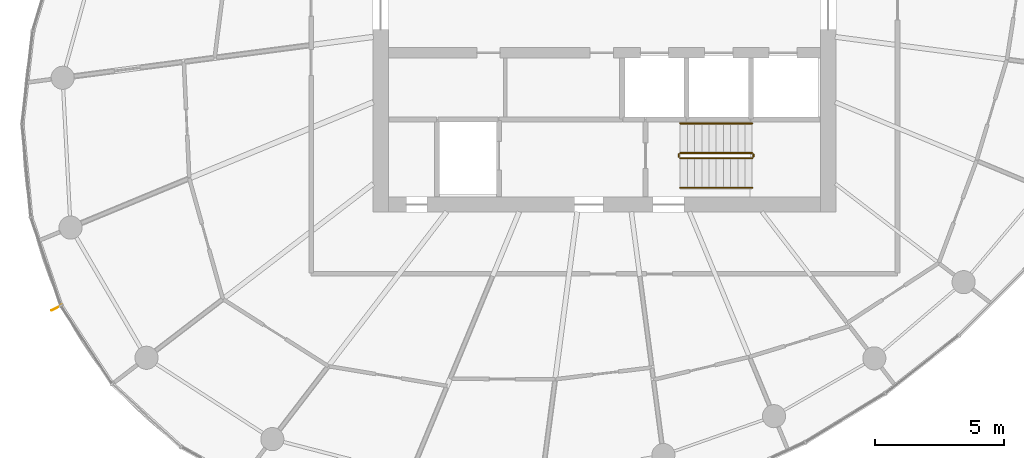
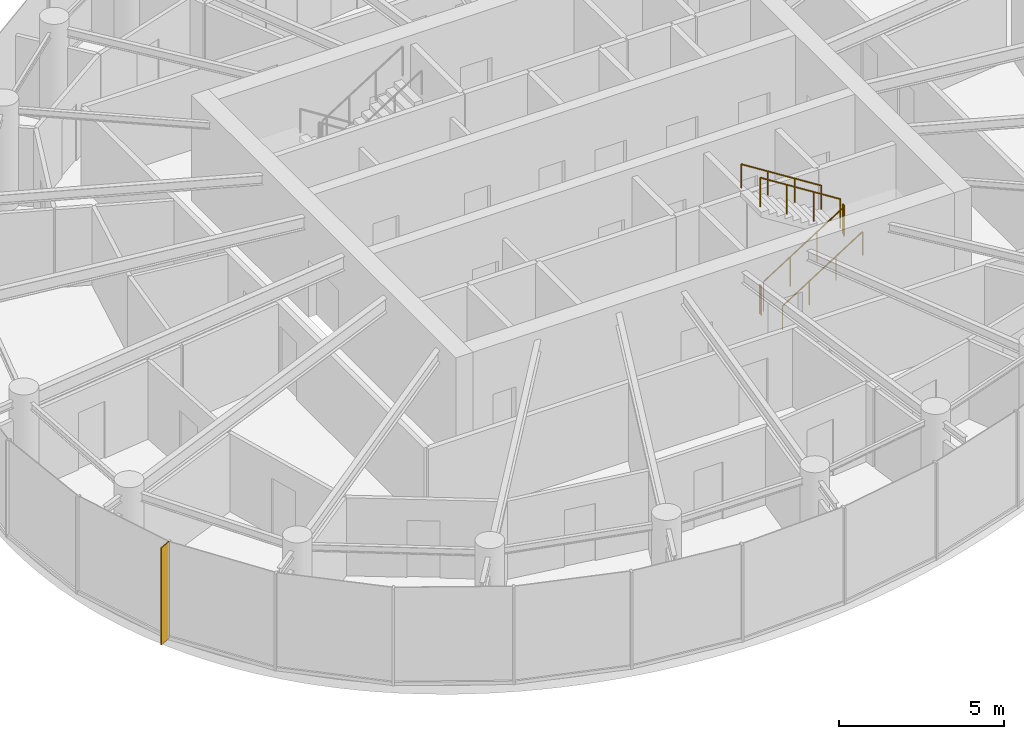
# One storey, part 14 of 15: 6 railings, 1 shading device.
"""IFC4 building model written with IfcOpenShell, lengths in metres."""

import ifcopenshell
import ifcopenshell.guid

model = None  # the IFC model being written
_history = None  # IfcOwnerHistory: only IFC2X3 demands one
_inside = {}  # id of a spatial element -> (the spatial element, [elements in it])
_under = {}  # id of a project, library or spatial element -> (it, [spatial elements below it])
_declared = {}  # id of a project -> (the project, [libraries it declares])
_typed = {}  # id of a type object -> (the type object, [elements of that type])
_made_of = {}  # id of a material, layer set ... -> (it, [elements and type objects made of it])


def new_model(schema):
    """Start an empty IFC model of exactly this schema.

    Asked for "IFC4X3", IfcOpenShell would pick the latest addendum, in which some entities
    have other attributes; the version numbers below select the first issue.
    IFC2X3 requires an IfcOwnerHistory on every rooted entity: one is made here for all.
    """
    global model, _history
    if schema == "IFC4X3":
        model = ifcopenshell.file(schema_version=(4, 3, 0, 0))
    else:
        model = ifcopenshell.file(schema=schema)
    _inside.clear()
    _under.clear()
    _declared.clear()
    _typed.clear()
    _made_of.clear()
    _history = None
    if model.schema == "IFC2X3":
        org = make("IfcOrganization", Name="unknown")
        user = make(
            "IfcPersonAndOrganization",
            ThePerson=make("IfcPerson", FamilyName="unknown"),
            TheOrganization=org,
        )
        app = make(
            "IfcApplication",
            ApplicationDeveloper=org,
            Version="unknown",
            ApplicationFullName="unknown",
            ApplicationIdentifier="unknown",
        )
        _history = make(
            "IfcOwnerHistory",
            OwningUser=user,
            OwningApplication=app,
            ChangeAction="ADDED",
            CreationDate=0,
        )
    return model


def make(cls, **values):
    """One entity of the class cls with the attributes given. An attribute that is None is left unset."""
    return model.create_entity(
        cls, **{name: value for name, value in values.items() if value is not None}
    )


def rooted(cls, **values):
    """An entity with a GlobalId (a new one), such as an element, a storey or a relation."""
    return make(cls, GlobalId=ifcopenshell.guid.new(), OwnerHistory=_history, **values)


def si_unit(unit_type, name, prefix=None):
    """IfcSIUnit, for example si_unit("LENGTHUNIT", "METRE", prefix="MILLI")."""
    return make("IfcSIUnit", UnitType=unit_type, Prefix=prefix, Name=name)


def assignment(units):
    """IfcUnitAssignment: the units of a project."""
    return None if units is None else make("IfcUnitAssignment", Units=units)


def point(xyz):
    """IfcCartesianPoint."""
    return None if xyz is None else make("IfcCartesianPoint", Coordinates=xyz)


def direction(xyz):
    """IfcDirection."""
    return None if xyz is None else make("IfcDirection", DirectionRatios=xyz)


def frame(location, z_axis=None, x_axis=None):
    """IfcAxis2Placement3D, a coordinate frame: its origin and axes. An axis left out is left unset."""
    return make(
        "IfcAxis2Placement3D",
        Location=point(location),
        Axis=direction(z_axis),
        RefDirection=direction(x_axis),
    )


def frame_2d(location, x_axis=None):
    """IfcAxis2Placement2D, a coordinate frame in the plane: its origin and x axis."""
    return make(
        "IfcAxis2Placement2D", Location=point(location), RefDirection=direction(x_axis)
    )


def origin():
    """The frame at (0, 0, 0) with its axes left unset."""
    return frame((0.0, 0.0, 0.0))


def origin_2d():
    """The frame at (0, 0) in the plane with its x axis left unset."""
    return frame_2d((0.0, 0.0))


def place(relative_to, where):
    """IfcLocalPlacement: puts the frame where relative to a parent placement (None: the world)."""
    return make(
        "IfcLocalPlacement", PlacementRelTo=relative_to, RelativePlacement=where
    )


def context(
    kind, dimensions, precision=None, world=None, true_north=None, identifier=None
):
    """IfcGeometricRepresentationContext, for example the 3D "Model" context."""
    return make(
        "IfcGeometricRepresentationContext",
        ContextIdentifier=identifier,
        ContextType=kind,
        CoordinateSpaceDimension=dimensions,
        Precision=precision,
        WorldCoordinateSystem=world,
        TrueNorth=true_north,
    )


def subcontext(parent, identifier, kind, view, scale=None):
    """IfcGeometricRepresentationSubContext, for example "Body" below "Model"."""
    return make(
        "IfcGeometricRepresentationSubContext",
        ContextIdentifier=identifier,
        ContextType=kind,
        ParentContext=parent,
        TargetScale=scale,
        TargetView=view,
    )


def project(units=None, contexts=None):
    """IfcProject with its units and contexts."""
    return rooted(
        "IfcProject",
        Name="project",
        RepresentationContexts=contexts,
        UnitsInContext=assignment(units),
    )


def spatial(cls, under=None, at=None, **own):
    """A site, building, storey or space (cls), placed at a placement, below another one or the project."""
    s = rooted(cls, ObjectPlacement=at, **own)
    if under is not None:
        _under.setdefault(under.id(), (under, []))[1].append(s)
    return s


def profile(cls, at=None, kind="AREA", **sizes):
    """A parametric profile (cls). Its sizes go by their IFC names, for example OverallWidth=200.0."""
    return make(cls, ProfileType=kind, Position=at, **sizes)


def rectangle(**sizes):
    """IfcRectangleProfileDef."""
    return profile("IfcRectangleProfileDef", **sizes)


def circle(**sizes):
    """IfcCircleProfileDef."""
    return profile("IfcCircleProfileDef", **sizes)


def extrude(swept, where, along, depth):
    """IfcExtrudedAreaSolid: the profile swept, set in the frame where, extruded along a direction by depth."""
    return make(
        "IfcExtrudedAreaSolid",
        SweptArea=swept,
        Position=where,
        ExtrudedDirection=direction(along),
        Depth=depth,
    )


def shape(context_of_items, identifier, shape_type, items):
    """IfcShapeRepresentation: the items that make up one representation, for example the "Body"."""
    return make(
        "IfcShapeRepresentation",
        ContextOfItems=context_of_items,
        RepresentationIdentifier=identifier,
        RepresentationType=shape_type,
        Items=items,
    )


def source(mapping_origin, context_of_items, identifier, shape_type, items):
    """IfcRepresentationMap: a shape defined once, which mapped items show again and again."""
    return make(
        "IfcRepresentationMap",
        MappingOrigin=mapping_origin,
        MappedRepresentation=shape(context_of_items, identifier, shape_type, items),
    )


def transform(
    local_origin,
    x_axis=None,
    y_axis=None,
    z_axis=None,
    scale=None,
    scale2=None,
    scale3=None,
    uniform=True,
):
    """IfcCartesianTransformationOperator3D, or its non-uniform kind. x_axis, y_axis, z_axis: its Axis1, 2, 3."""
    if uniform:
        return make(
            "IfcCartesianTransformationOperator3D",
            Axis1=direction(x_axis),
            Axis2=direction(y_axis),
            LocalOrigin=point(local_origin),
            Scale=scale,
            Axis3=direction(z_axis),
        )
    return make(
        "IfcCartesianTransformationOperator3DnonUniform",
        Axis1=direction(x_axis),
        Axis2=direction(y_axis),
        LocalOrigin=point(local_origin),
        Scale=scale,
        Axis3=direction(z_axis),
        Scale2=scale2,
        Scale3=scale3,
    )


def mapped(mapping_source, mapping_target):
    """IfcMappedItem: shows the shape of a source again, moved by a transform."""
    return make(
        "IfcMappedItem", MappingSource=mapping_source, MappingTarget=mapping_target
    )


def material(Name=None, Category=None):
    """IfcMaterial."""
    return make("IfcMaterial", Name=Name, Category=Category)


def material_profile(
    of_material, cross_section, Name=None, Category=None, Priority=None
):
    """IfcMaterialProfile: a cross section and its material."""
    return make(
        "IfcMaterialProfile",
        Name=Name,
        Material=of_material,
        Profile=cross_section,
        Priority=Priority,
        Category=Category,
    )


def profile_set(profiles, Name=None, composite=None):
    """IfcMaterialProfileSet."""
    return make(
        "IfcMaterialProfileSet",
        Name=Name,
        MaterialProfiles=profiles,
        CompositeProfile=composite,
    )


def made_of(thing, what):
    """Note that an element or type object is made of a material, layer set ...; save() writes the relation."""
    if what is not None:
        _made_of.setdefault(what.id(), (what, []))[1].append(thing)
    return thing


def type_object(cls, material=None, **own):
    """A type object (cls), such as IfcWallType, which elements share."""
    return made_of(rooted(cls, **own), material)


def element(
    cls,
    number,
    at=None,
    inside=None,
    cuts=None,
    type_object=None,
    material=None,
    context=None,
    identifier="Body",
    shape_type=None,
    held_by="IfcProductDefinitionShape",
    body=None,
    shapes=None,
    **own,
):
    """One element of the class cls, such as IfcWall. Its Tag is "e" and its number.

    at: its placement. inside: the storey or other place that contains it. cuts: it is an
    opening in that element (IfcRelVoidsElement). A single representation is given by context,
    identifier, shape_type and body (its items); several are given by shapes. held_by: the class
    of the entity that holds the representations. save() writes the other relations.
    """
    e = rooted(cls, Tag="e%d" % number, ObjectPlacement=at, **own)
    if body is not None:
        shapes = [shape(context, identifier, shape_type, body)]
    if shapes is not None:
        e.Representation = make(held_by, Representations=shapes)
    if inside is not None:
        _inside.setdefault(inside.id(), (inside, []))[1].append(e)
    if cuts is not None:
        rooted(
            "IfcRelVoidsElement", RelatingBuildingElement=cuts, RelatedOpeningElement=e
        )
    if type_object is not None:
        _typed.setdefault(type_object.id(), (type_object, []))[1].append(e)
    return made_of(e, material)


def aggregate(whole, parts):
    """IfcRelAggregates: a whole, such as a stair, and the parts it consists of."""
    return rooted("IfcRelAggregates", RelatingObject=whole, RelatedObjects=parts)


def save(model, path):
    """Write the relations noted so far, then the file.

    IfcRelAggregates (storeys below a building ...), IfcRelContainedInSpatialStructure (elements
    in a storey), IfcRelDefinesByType, IfcRelAssociatesMaterial and IfcRelDeclares: one each for
    every whole, place, type object, material and project.
    """
    for whole, parts in _under.values():
        aggregate(whole, parts)
    for where, things in _inside.values():
        rooted(
            "IfcRelContainedInSpatialStructure",
            RelatedElements=things,
            RelatingStructure=where,
        )
    for kind, things in _typed.values():
        rooted("IfcRelDefinesByType", RelatedObjects=things, RelatingType=kind)
    for what, things in _made_of.values():
        rooted("IfcRelAssociatesMaterial", RelatedObjects=things, RelatingMaterial=what)
    for by, libraries in _declared.values():
        rooted("IfcRelDeclares", RelatingContext=by, RelatedDefinitions=libraries)
    model.write(path)


model = new_model("IFC4")

# Units and contexts
model_context = context("Model", 3, precision=1e-05, world=origin(), true_north=direction((0.0, 1.0)))
body_context = subcontext(model_context, "Body", "Model", "MODEL_VIEW")
ifc_project = project(units=[si_unit("LENGTHUNIT", "METRE"), si_unit("AREAUNIT", "SQUARE_METRE"), si_unit("VOLUMEUNIT", "CUBIC_METRE"), si_unit("PLANEANGLEUNIT", "RADIAN"), si_unit("MASSUNIT", "GRAM", prefix="KILO")], contexts=[model_context])

# Site, building, storey
site_placement = place(None, origin())
site = spatial("IfcSite", under=ifc_project, at=site_placement, CompositionType="ELEMENT")
building_placement = place(site_placement, origin())
building = spatial("IfcBuilding", under=site, at=building_placement, Name="Spindrift Exchange Tower", CompositionType="ELEMENT")
storey_placement = place(building_placement, frame((0.0, 0.0, 191.60009765625)))
storey = spatial("IfcBuildingStorey", under=building, at=storey_placement, Name="L46", CompositionType="ELEMENT", Elevation=191.60009765625)

# Railings
ifc_material_1 = material(Name="Steel balustrade", Category="steel")
railing_type_1 = type_object("IfcRailingType", Name="RL-STAIR-GUARD", PredefinedType="GUARDRAIL", material=ifc_material_1)
railing_1_placement = place(storey_placement, frame((54.949951171875, 42.10009765625, 0.17724609375)))
element("IfcRailing", 1, at=railing_1_placement, inside=storey, type_object=railing_type_1, Name="L46 ST2 stair guard 1", PredefinedType="GUARDRAIL", context=body_context, shape_type="SweptSolid", body=[
    extrude(circle(Radius=0.02392578125, at=origin_2d()), frame((0.0, 0.0, 1.076171875), z_axis=(0.844908973607, 0.0, 0.534910110503), x_axis=(0.0, 1.0, 0.0)), (0.0, 0.0, 1.0), 3.31396484375),
    extrude(circle(Radius=0.02099609375, at=origin_2d()), origin(), (0.0, 0.0, 1.0), 1.052001953125),
    extrude(circle(Radius=0.02099609375, at=origin_2d()), frame((0.933349609375, 0.0, 0.5908203125)), (0.0, 0.0, 1.0), 1.052001953125),
    extrude(circle(Radius=0.02099609375, at=origin_2d()), frame((1.86669921875, 0.0, 1.181884765625)), (0.0, 0.0, 1.0), 1.052001953125),
    extrude(circle(Radius=0.02099609375, at=origin_2d()), frame((2.800048828125, 0.0, 1.772705078125)), (0.0, 0.0, 1.0), 1.052001953125),
])
railing_2_placement = place(storey_placement, frame((57.800048828125, 42.14990234375, 1.949951171875)))
element("IfcRailing", 2, at=railing_2_placement, inside=storey, type_object=railing_type_1, Name="L46 ST2 stair guard 2", PredefinedType="GUARDRAIL", context=body_context, shape_type="SweptSolid", body=[
    extrude(circle(Radius=0.02392578125, at=origin_2d()), frame((0.0, 0.0, 1.076171875), z_axis=(0.0, 1.0, 0.0), x_axis=(-1.0, 0.0, 0.0)), (0.0, 0.0, 1.0), 0.10009765625),
    extrude(circle(Radius=0.02099609375, at=origin_2d()), origin(), (0.0, 0.0, 1.0), 1.052001953125),
    extrude(circle(Radius=0.02099609375, at=origin_2d()), frame((0.0, 0.10009765625, 0.0)), (0.0, 0.0, 1.0), 1.052001953125),
])
railing_3_placement = place(storey_placement, frame((57.75, 42.300048828125, 2.127197265625)))
element("IfcRailing", 3, at=railing_3_placement, inside=storey, type_object=railing_type_1, Name="L46 ST2 stair guard 3", PredefinedType="GUARDRAIL", context=body_context, shape_type="SweptSolid", body=[
    extrude(circle(Radius=0.02392578125, at=origin_2d()), frame((0.0, 0.0, 1.076171875), z_axis=(-0.844908973607, 0.0, 0.534910110503), x_axis=(0.0, -1.0, 0.0)), (0.0, 0.0, 1.0), 3.31396484375),
    extrude(circle(Radius=0.02099609375, at=origin_2d()), origin(), (0.0, 0.0, 1.0), 1.052001953125),
    extrude(circle(Radius=0.02099609375, at=origin_2d()), frame((-0.933349609375, 0.0, 0.5908203125)), (0.0, 0.0, 1.0), 1.052001953125),
    extrude(circle(Radius=0.02099609375, at=origin_2d()), frame((-1.86669921875, 0.0, 1.181884765625)), (0.0, 0.0, 1.0), 1.052001953125),
    extrude(circle(Radius=0.02099609375, at=origin_2d()), frame((-2.800048828125, 0.0, 1.772705078125)), (0.0, 0.0, 1.0), 1.052001953125),
])
railing_4_placement = place(storey_placement, frame((54.89990234375, 42.14990234375, 0.0)))
element("IfcRailing", 4, at=railing_4_placement, inside=storey, type_object=railing_type_1, Name="L46 ST2 stair guard 4", PredefinedType="GUARDRAIL", context=body_context, shape_type="SweptSolid", body=[
    extrude(circle(Radius=0.02392578125, at=origin_2d()), frame((0.0, 0.0, 1.076171875), z_axis=(0.0, 1.0, 0.0), x_axis=(-1.0, 0.0, 0.0)), (0.0, 0.0, 1.0), 0.10009765625),
    extrude(circle(Radius=0.02099609375, at=origin_2d()), origin(), (0.0, 0.0, 1.0), 1.052001953125),
    extrude(circle(Radius=0.02099609375, at=origin_2d()), frame((0.0, 0.10009765625, 0.0)), (0.0, 0.0, 1.0), 1.052001953125),
])
ifc_material_2 = material(Name="Steel tubular handrail", Category="steel")
railing_type_2 = type_object("IfcRailingType", Name="RL-STAIR-HAND", PredefinedType="HANDRAIL", material=ifc_material_2)
railing_5_placement = place(storey_placement, frame((54.949951171875, 40.949951171875, 0.17724609375)))
element("IfcRailing", 5, at=railing_5_placement, inside=storey, type_object=railing_type_2, Name="L46 ST2 stair handrail 1", PredefinedType="HANDRAIL", context=body_context, shape_type="SweptSolid", body=[
    extrude(circle(Radius=0.02392578125, at=origin_2d()), frame((0.0, 0.0, 0.8759765625), z_axis=(0.844908973607, 0.0, 0.534910110503), x_axis=(0.0, 1.0, 0.0)), (0.0, 0.0, 1.0), 3.31396484375),
    extrude(circle(Radius=0.02099609375, at=origin_2d()), origin(), (0.0, 0.0, 1.0), 0.851806640625),
    extrude(circle(Radius=0.02099609375, at=origin_2d()), frame((0.933349609375, 0.0, 0.5908203125)), (0.0, 0.0, 1.0), 0.851806640625),
    extrude(circle(Radius=0.02099609375, at=origin_2d()), frame((1.86669921875, 0.0, 1.181884765625)), (0.0, 0.0, 1.0), 0.851806640625),
    extrude(circle(Radius=0.02099609375, at=origin_2d()), frame((2.800048828125, 0.0, 1.772705078125)), (0.0, 0.0, 1.0), 0.851806640625),
])
railing_6_placement = place(storey_placement, frame((57.75, 43.449951171875, 2.127197265625)))
element("IfcRailing", 6, at=railing_6_placement, inside=storey, type_object=railing_type_2, Name="L46 ST2 stair handrail 2", PredefinedType="HANDRAIL", context=body_context, shape_type="SweptSolid", body=[
    extrude(circle(Radius=0.02392578125, at=origin_2d()), frame((0.0, 0.0, 0.8759765625), z_axis=(-0.844908973607, 0.0, 0.534910110503), x_axis=(0.0, -1.0, 0.0)), (0.0, 0.0, 1.0), 3.31396484375),
    extrude(circle(Radius=0.02099609375, at=origin_2d()), origin(), (0.0, 0.0, 1.0), 0.851806640625),
    extrude(circle(Radius=0.02099609375, at=origin_2d()), frame((-0.933349609375, 0.0, 0.5908203125)), (0.0, 0.0, 1.0), 0.851806640625),
    extrude(circle(Radius=0.02099609375, at=origin_2d()), frame((-1.86669921875, 0.0, 1.181884765625)), (0.0, 0.0, 1.0), 0.851806640625),
    extrude(circle(Radius=0.02099609375, at=origin_2d()), frame((-2.800048828125, 0.0, 1.772705078125)), (0.0, 0.0, 1.0), 0.851806640625),
])

# Shading device
ifc_material_3 = material(Name="Bronze anodised aluminium", Category="aluminium")
ifc_material_profile = material_profile(ifc_material_3, rectangle(XDim=0.030029296875, YDim=0.449951171875, at=origin_2d()), Name="WIND FIN 30X450")
ifc_profile_set = profile_set([ifc_material_profile], Name="Bronze anodised aluminium")
shading_device_type = type_object("IfcShadingDeviceType", Name="WIND FIN 30X450", PredefinedType="USERDEFINED", material=ifc_profile_set)
shared_shape = source(origin(), body_context, "Body", "SweptSolid", [
    extrude(rectangle(XDim=0.030029296875, YDim=0.449951171875, at=origin_2d()), origin(), (0.0, 0.0, 1.0), 3.579833984375),
])
shading_device_placement = place(storey_placement, frame((30.703125, 36.28125, 0.0), z_axis=(0.0, 0.0, 1.0), x_axis=(0.438051105936, -0.898950070131, 0.0)))
element("IfcShadingDevice", 7, at=shading_device_placement, inside=storey, type_object=shading_device_type, Name="L46 wind fin 1", ObjectType="FIN", PredefinedType="USERDEFINED", context=body_context, shape_type="MappedRepresentation", body=[
    mapped(shared_shape, transform((0.0, 0.0, 0.0), scale=1.0)),
])

save(model, "model.ifc")
